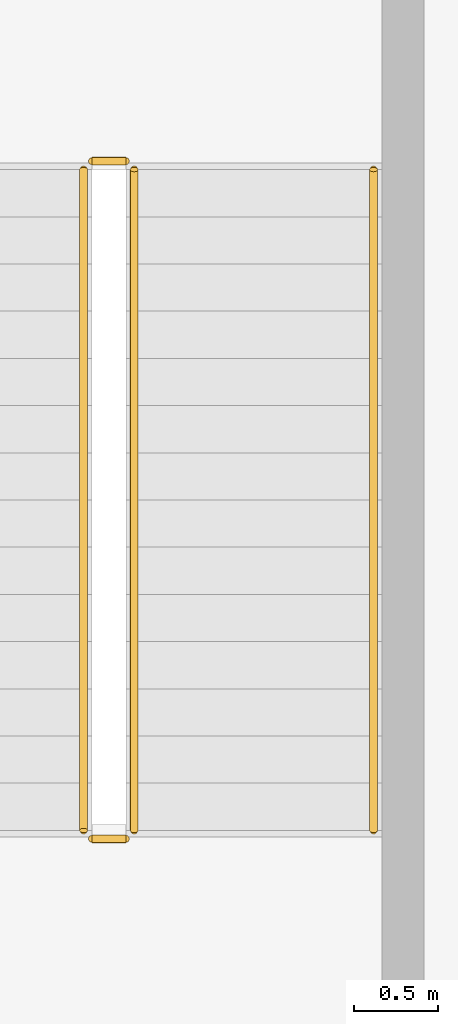
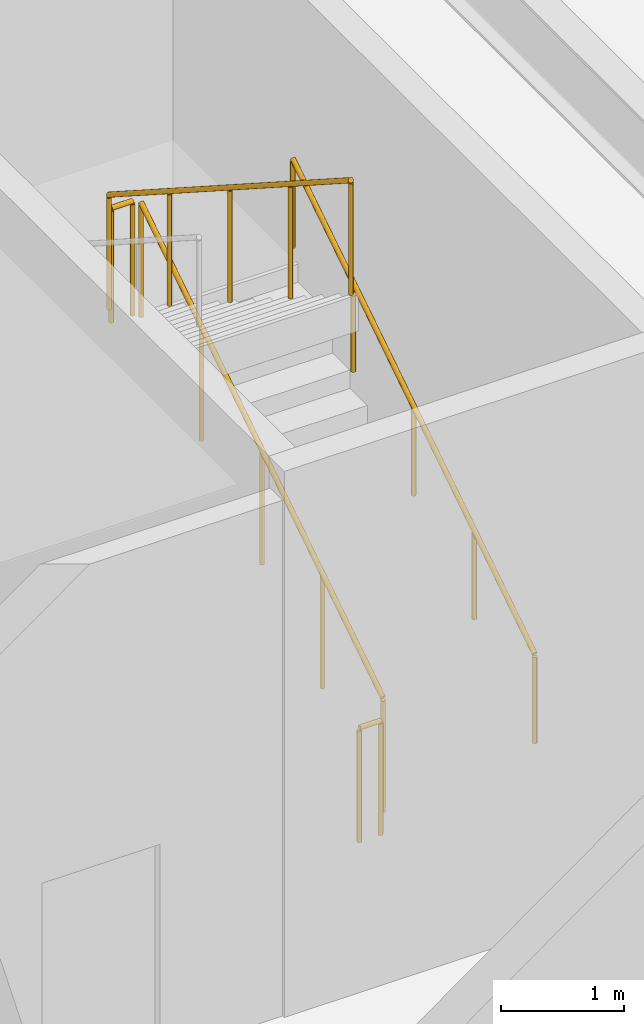
# One storey, part 45 of 46: 5 railings.
"""IFC4 building model written with IfcOpenShell, lengths in metres."""

from ifc_helpers import new_model, si_unit, direction, frame, origin, origin_2d, place, context, subcontext, project, spatial, circle, extrude, material, type_object, element, save


model = new_model("IFC4")

# Units and contexts
model_context = context("Model", 3, precision=1e-05, world=origin(), true_north=direction((0.0, 1.0)))
body_context = subcontext(model_context, "Body", "Model", "MODEL_VIEW")
ifc_project = project(units=[si_unit("LENGTHUNIT", "METRE"), si_unit("AREAUNIT", "SQUARE_METRE"), si_unit("VOLUMEUNIT", "CUBIC_METRE"), si_unit("PLANEANGLEUNIT", "RADIAN"), si_unit("MASSUNIT", "GRAM", prefix="KILO")], contexts=[model_context])

# Site, building, storey
site_placement = place(None, origin())
site = spatial("IfcSite", under=ifc_project, at=site_placement, CompositionType="ELEMENT")
building_placement = place(site_placement, origin())
building = spatial("IfcBuilding", under=site, at=building_placement, Name="Korimba Cascade Residences", CompositionType="ELEMENT")
storey_placement = place(building_placement, origin())
storey = spatial("IfcBuildingStorey", under=building, at=storey_placement, Name="L00", CompositionType="ELEMENT", Elevation=0.0)

# Railings
ifc_material_1 = material(Name="Painted Steel Stairwell Guardrail", Category="steel")
railing_type_1 = type_object("IfcRailingType", Name="RLG-ST-GD1150", PredefinedType="GUARDRAIL", material=ifc_material_1)
railing_1_placement = place(storey_placement, frame((136.27001953125, 83.64990234375, 0.179931640625)))
element("IfcRailing", 1, at=railing_1_placement, inside=storey, type_object=railing_type_1, Name="L00 ST-P4 stair guard 1", PredefinedType="GUARDRAIL", context=body_context, shape_type="SweptSolid", body=[
    extrude(circle(Radius=0.02392578125, at=origin_2d()), frame((0.0, 0.0, 1.1259765625), z_axis=(0.0, 0.841186985886, 0.540744352514), x_axis=(-1.0, 0.0, 0.0)), (0.0, 0.0, 1.0), 4.660400390625),
    extrude(circle(Radius=0.02099609375, at=origin_2d()), origin(), (0.0, 0.0, 1.0), 1.101806640625),
    extrude(circle(Radius=0.02099609375, at=origin_2d()), frame((0.0, 0.97998046875, 0.6298828125)), (0.0, 0.0, 1.0), 1.101806640625),
    extrude(circle(Radius=0.02099609375, at=origin_2d()), frame((0.0, 1.9599609375, 1.260009765625)), (0.0, 0.0, 1.0), 1.101806640625),
    extrude(circle(Radius=0.02099609375, at=origin_2d()), frame((0.0, 2.940185546875, 1.89013671875)), (0.0, 0.0, 1.0), 1.101806640625),
    extrude(circle(Radius=0.02099609375, at=origin_2d()), frame((0.0, 3.920166015625, 2.52001953125)), (0.0, 0.0, 1.0), 1.101806640625),
])
railing_2_placement = place(storey_placement, frame((136.219970703125, 87.6201171875, 2.699951171875)))
element("IfcRailing", 2, at=railing_2_placement, inside=storey, type_object=railing_type_1, Name="L00 ST-P4 stair guard 2", PredefinedType="GUARDRAIL", context=body_context, shape_type="SweptSolid", body=[
    extrude(circle(Radius=0.02392578125, at=origin_2d()), frame((0.0, 0.0, 1.1259765625), z_axis=(-1.0, 0.0, 0.0), x_axis=(0.0, -1.0, 0.0)), (0.0, 0.0, 1.0), 0.199951171875),
    extrude(circle(Radius=0.02099609375, at=origin_2d()), origin(), (0.0, 0.0, 1.0), 1.101806640625),
    extrude(circle(Radius=0.02099609375, at=origin_2d()), frame((-0.199951171875, 0.0, 0.0)), (0.0, 0.0, 1.0), 1.101806640625),
])
railing_3_placement = place(storey_placement, frame((135.969970703125, 87.570068359375, 2.8798828125)))
element("IfcRailing", 3, at=railing_3_placement, inside=storey, type_object=railing_type_1, Name="L00 ST-P4 stair guard 3", PredefinedType="GUARDRAIL", context=body_context, shape_type="SweptSolid", body=[
    extrude(circle(Radius=0.02392578125, at=origin_2d()), frame((0.0, 0.0, 1.1259765625), z_axis=(0.0, -0.841186985886, 0.540744352514), x_axis=(1.0, 0.0, 0.0)), (0.0, 0.0, 1.0), 4.660400390625),
    extrude(circle(Radius=0.02099609375, at=origin_2d()), origin(), (0.0, 0.0, 1.0), 1.101806640625),
    extrude(circle(Radius=0.02099609375, at=origin_2d()), frame((0.0, -0.97998046875, 0.6298828125)), (0.0, 0.0, 1.0), 1.101806640625),
    extrude(circle(Radius=0.02099609375, at=origin_2d()), frame((0.0, -1.9599609375, 1.260009765625)), (0.0, 0.0, 1.0), 1.101806640625),
    extrude(circle(Radius=0.02099609375, at=origin_2d()), frame((0.0, -2.940185546875, 1.89013671875)), (0.0, 0.0, 1.0), 1.101806640625),
    extrude(circle(Radius=0.02099609375, at=origin_2d()), frame((0.0, -3.920166015625, 2.52001953125)), (0.0, 0.0, 1.0), 1.101806640625),
])
railing_4_placement = place(storey_placement, frame((136.219970703125, 83.60009765625, 0.0)))
element("IfcRailing", 4, at=railing_4_placement, inside=storey, type_object=railing_type_1, Name="L00 ST-P4 stair guard 4", PredefinedType="GUARDRAIL", context=body_context, shape_type="SweptSolid", body=[
    extrude(circle(Radius=0.02392578125, at=origin_2d()), frame((0.0, 0.0, 1.1259765625), z_axis=(-1.0, 0.0, 0.0), x_axis=(0.0, -1.0, 0.0)), (0.0, 0.0, 1.0), 0.199951171875),
    extrude(circle(Radius=0.02099609375, at=origin_2d()), origin(), (0.0, 0.0, 1.0), 1.101806640625),
    extrude(circle(Radius=0.02099609375, at=origin_2d()), frame((-0.199951171875, 0.0, 0.0)), (0.0, 0.0, 1.0), 1.101806640625),
])
ifc_material_2 = material(Name="Brushed Stainless Steel Handrail", Category="steel")
railing_type_2 = type_object("IfcRailingType", Name="RLG-ST-HR900", PredefinedType="HANDRAIL", material=ifc_material_2)
railing_5_placement = place(storey_placement, frame((137.68994140625, 83.64990234375, 0.36376953125)))
element("IfcRailing", 5, at=railing_5_placement, inside=storey, type_object=railing_type_2, Name="L00 ST-P4 stair handrail 1", PredefinedType="HANDRAIL", context=body_context, shape_type="SweptSolid", body=[
    extrude(circle(Radius=0.02392578125, at=origin_2d()), frame((0.0, 0.0, 0.8759765625), z_axis=(0.0, 0.841186985886, 0.540744352514), x_axis=(-1.0, 0.0, 0.0)), (0.0, 0.0, 1.0), 4.660400390625),
    extrude(circle(Radius=0.02099609375, at=origin_2d()), origin(), (0.0, 0.0, 1.0), 0.851806640625),
    extrude(circle(Radius=0.02099609375, at=origin_2d()), frame((0.0, 0.97998046875, 0.6298828125)), (0.0, 0.0, 1.0), 0.851806640625),
    extrude(circle(Radius=0.02099609375, at=origin_2d()), frame((0.0, 1.9599609375, 1.260009765625)), (0.0, 0.0, 1.0), 0.851806640625),
    extrude(circle(Radius=0.02099609375, at=origin_2d()), frame((0.0, 2.940185546875, 1.89013671875)), (0.0, 0.0, 1.0), 0.851806640625),
    extrude(circle(Radius=0.02099609375, at=origin_2d()), frame((0.0, 3.920166015625, 2.52001953125)), (0.0, 0.0, 1.0), 0.851806640625),
])

save(model, "model.ifc")
